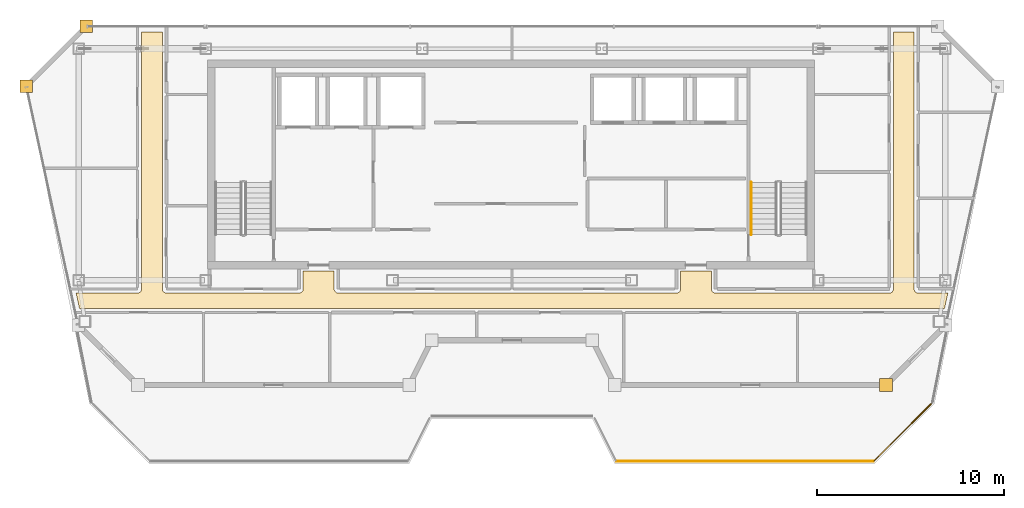
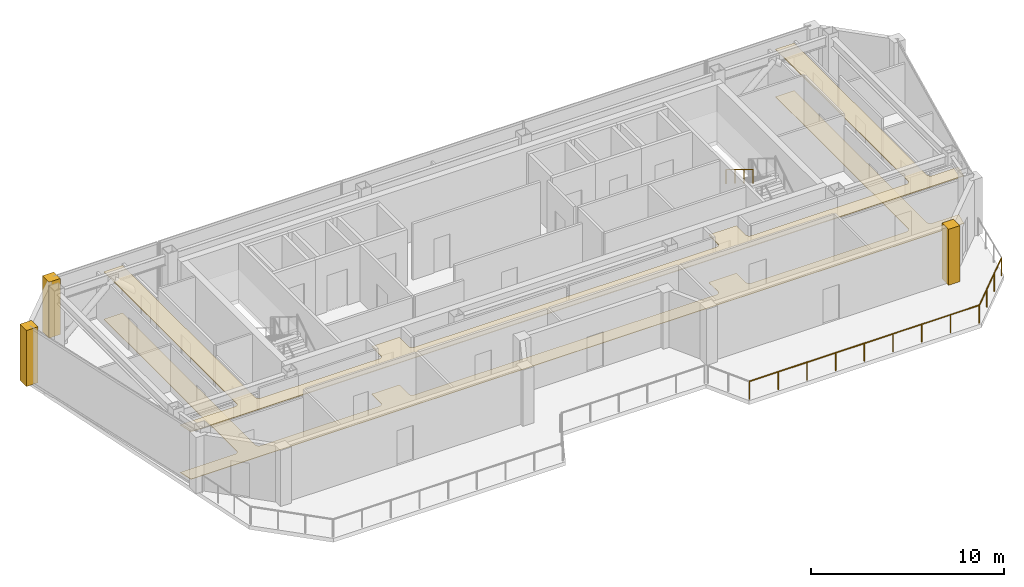
# One storey, part 16 of 17: 5 coverings, 3 railings.
"""IFC4 building model written with IfcOpenShell, lengths in metres."""

from ifc_helpers import new_model, si_unit, direction, frame, origin, origin_2d, place, context, subcontext, project, spatial, polyline, circle, outline, extrude, material, layer, layer_set, type_object, element, save


model = new_model("IFC4")

# Units and contexts
model_context = context("Model", 3, precision=1e-05, world=origin(), true_north=direction((0.0, 1.0)))
body_context = subcontext(model_context, "Body", "Model", "MODEL_VIEW")
ifc_project = project(units=[si_unit("LENGTHUNIT", "METRE"), si_unit("AREAUNIT", "SQUARE_METRE"), si_unit("VOLUMEUNIT", "CUBIC_METRE"), si_unit("PLANEANGLEUNIT", "RADIAN"), si_unit("MASSUNIT", "GRAM", prefix="KILO")], contexts=[model_context])

# Site, building, storey
site_placement = place(None, origin())
site = spatial("IfcSite", under=ifc_project, at=site_placement, CompositionType="ELEMENT")
building_placement = place(site_placement, origin())
building = spatial("IfcBuilding", under=site, at=building_placement, Name="Saevonmaru Cultural Tower", CompositionType="ELEMENT")
storey_placement = place(building_placement, frame((0.0, 0.0, 310.39990234375)))
storey = spatial("IfcBuildingStorey", under=building, at=storey_placement, Name="L74", CompositionType="ELEMENT", Elevation=310.39990234375)

# Coverings
ifc_material_1 = material(Name="Mineral Fibre Acoustic Ceiling", Category="gypsum")
ifc_layer_1 = layer(ifc_material_1, 0.044921875, Name="Mineral Fibre Acoustic Ceiling")
ifc_layer_set_1 = layer_set([ifc_layer_1], Name="Mineral Fibre Acoustic Ceiling")
covering_type_1 = type_object("IfcCoveringType", Name="CV-CEIL-ACOUSTIC", PredefinedType="CEILING", material=ifc_layer_set_1)
covering_1_placement = place(storey_placement, frame((0.0, 0.0, 3.0)))
element("IfcCovering", 1, at=covering_1_placement, inside=storey, type_object=covering_type_1, Name="L74 Corridor Acoustic Ceiling", PredefinedType="CEILING", context=body_context, shape_type="SweptSolid", body=[
    extrude(outline(polyline([(6.843994140625, 40.89990234375), (6.6669921875, 41.719970703125), (9.949951171875, 41.719970703125), (9.971923828125, 41.720947265625), (9.992919921875, 41.72412109375), (10.013916015625, 41.72900390625), (10.033935546875, 41.737060546875), (10.053955078125, 41.74609375), (10.072021484375, 41.757080078125), (10.090087890625, 41.77001953125), (10.10595703125, 41.783935546875), (10.1201171875, 41.800048828125), (10.133056640625, 41.818115234375), (10.14404296875, 41.8359375), (10.153076171875, 41.85595703125), (10.160888671875, 41.8759765625), (10.166015625, 41.89697265625), (10.1689453125, 41.91796875), (10.169921875, 41.93994140625), (10.169921875, 55.699951171875), (11.280029296875, 55.699951171875), (11.280029296875, 41.93994140625), (11.281005859375, 41.91796875), (11.283935546875, 41.89697265625), (11.2890625, 41.8759765625), (11.297119140625, 41.85595703125), (11.305908203125, 41.8359375), (11.31689453125, 41.818115234375), (11.330078125, 41.800048828125), (11.343994140625, 41.783935546875), (11.360107421875, 41.77001953125), (11.3779296875, 41.757080078125), (11.39599609375, 41.74609375), (11.416015625, 41.737060546875), (11.43603515625, 41.72900390625), (11.45703125, 41.72412109375), (11.47802734375, 41.720947265625), (11.5, 41.719970703125), (18.60009765625, 41.719970703125), (18.6220703125, 41.720947265625), (18.64306640625, 41.72412109375), (18.6640625, 41.72900390625), (18.68408203125, 41.737060546875), (18.7041015625, 41.74609375), (18.721923828125, 41.757080078125), (18.739990234375, 41.77001953125), (18.756103515625, 41.783935546875), (18.77001953125, 41.800048828125), (18.782958984375, 41.818115234375), (18.7939453125, 41.8359375), (18.802978515625, 41.85595703125), (18.81103515625, 41.8759765625), (18.81591796875, 41.89697265625), (18.819091796875, 41.91796875), (18.820068359375, 41.93994140625), (18.820068359375, 42.889892578125), (20.47998046875, 42.889892578125), (20.47998046875, 41.93994140625), (20.48095703125, 41.91796875), (20.48388671875, 41.89697265625), (20.489013671875, 41.8759765625), (20.4970703125, 41.85595703125), (20.506103515625, 41.8359375), (20.51708984375, 41.818115234375), (20.530029296875, 41.800048828125), (20.5439453125, 41.783935546875), (20.56005859375, 41.77001953125), (20.577880859375, 41.757080078125), (20.595947265625, 41.74609375), (20.615966796875, 41.737060546875), (20.635986328125, 41.72900390625), (20.656982421875, 41.72412109375), (20.677978515625, 41.720947265625), (20.699951171875, 41.719970703125), (38.800048828125, 41.719970703125), (38.822021484375, 41.720947265625), (38.843017578125, 41.72412109375), (38.864013671875, 41.72900390625), (38.884033203125, 41.737060546875), (38.904052734375, 41.74609375), (38.922119140625, 41.757080078125), (38.93994140625, 41.77001953125), (38.9560546875, 41.783935546875), (38.969970703125, 41.800048828125), (38.98291015625, 41.818115234375), (38.993896484375, 41.8359375), (39.0029296875, 41.85595703125), (39.010986328125, 41.8759765625), (39.01611328125, 41.89697265625), (39.01904296875, 41.91796875), (39.02001953125, 41.93994140625), (39.02001953125, 42.889892578125), (40.679931640625, 42.889892578125), (40.679931640625, 41.93994140625), (40.680908203125, 41.91796875), (40.68408203125, 41.89697265625), (40.68896484375, 41.8759765625), (40.697021484375, 41.85595703125), (40.7060546875, 41.8359375), (40.717041015625, 41.818115234375), (40.72998046875, 41.800048828125), (40.743896484375, 41.783935546875), (40.760009765625, 41.77001953125), (40.778076171875, 41.757080078125), (40.7958984375, 41.74609375), (40.81591796875, 41.737060546875), (40.8359375, 41.72900390625), (40.85693359375, 41.72412109375), (40.8779296875, 41.720947265625), (40.89990234375, 41.719970703125), (50.199951171875, 41.719970703125), (50.221923828125, 41.720947265625), (50.242919921875, 41.72412109375), (50.263916015625, 41.72900390625), (50.283935546875, 41.737060546875), (50.303955078125, 41.74609375), (50.322021484375, 41.757080078125), (50.340087890625, 41.77001953125), (50.35595703125, 41.783935546875), (50.3701171875, 41.800048828125), (50.383056640625, 41.818115234375), (50.39404296875, 41.8359375), (50.403076171875, 41.85595703125), (50.410888671875, 41.8759765625), (50.416015625, 41.89697265625), (50.4189453125, 41.91796875), (50.419921875, 41.93994140625), (50.419921875, 55.699951171875), (51.530029296875, 55.699951171875), (51.530029296875, 41.93994140625), (51.531005859375, 41.91796875), (51.533935546875, 41.89697265625), (51.5390625, 41.8759765625), (51.547119140625, 41.85595703125), (51.555908203125, 41.8359375), (51.56689453125, 41.818115234375), (51.580078125, 41.800048828125), (51.593994140625, 41.783935546875), (51.610107421875, 41.77001953125), (51.6279296875, 41.757080078125), (51.64599609375, 41.74609375), (51.666015625, 41.737060546875), (51.68603515625, 41.72900390625), (51.70703125, 41.72412109375), (51.72802734375, 41.720947265625), (51.75, 41.719970703125), (53.3330078125, 41.719970703125), (53.156005859375, 40.89990234375), (6.843994140625, 40.89990234375)])), origin(), (0.0, 0.0, 1.0), 0.045166015625),
])
ifc_material_2 = material(Name="Satin Bronze Anodised Aluminium", Category="aluminium")
ifc_layer_2 = layer(ifc_material_2, 0.679931640625, Name="Satin Bronze Anodised Aluminium")
ifc_layer_set_2 = layer_set([ifc_layer_2], Name="Satin Bronze Anodised Aluminium")
covering_type_2 = type_object("IfcCoveringType", Name="CV-CORNER-CLAD", PredefinedType="CLADDING", material=ifc_layer_set_2)
covering_2_placement = place(storey_placement, origin())
element("IfcCovering", 2, at=covering_2_placement, inside=storey, type_object=covering_type_2, Name="L74 Tower Bronze Corner Cladding Pier 7", PredefinedType="CLADDING", context=body_context, shape_type="SweptSolid", body=[
    extrude(outline(polyline([(49.68701171875, 36.4599609375), (50.366943359375, 36.4599609375), (50.366943359375, 37.139892578125), (49.68701171875, 37.139892578125), (49.68701171875, 36.4599609375)])), origin(), (0.0, 0.0, 1.0), 3.550048828125),
])
covering_3_placement = place(storey_placement, origin())
element("IfcCovering", 3, at=covering_3_placement, inside=storey, type_object=covering_type_2, Name="L74 Tower Bronze Corner Cladding Pier 11", PredefinedType="CLADDING", context=body_context, shape_type="SweptSolid", body=[
    extrude(outline(polyline([(6.860107421875, 55.659912109375), (7.5400390625, 55.659912109375), (7.5400390625, 56.340087890625), (6.860107421875, 56.340087890625), (6.860107421875, 55.659912109375)])), origin(), (0.0, 0.0, 1.0), 3.550048828125),
])
covering_4_placement = place(storey_placement, origin())
element("IfcCovering", 4, at=covering_4_placement, inside=storey, type_object=covering_type_2, Name="L74 Tower Bronze Corner Cladding Pier 12", PredefinedType="CLADDING", context=body_context, shape_type="SweptSolid", body=[
    extrude(outline(polyline([(3.659912109375, 52.4599609375), (4.340087890625, 52.4599609375), (4.340087890625, 53.139892578125), (3.659912109375, 53.139892578125), (3.659912109375, 52.4599609375)])), origin(), (0.0, 0.0, 1.0), 3.550048828125),
])
ifc_material_3 = material(Name="Honed Granite Terrazzo", Category="masonry")
ifc_layer_3 = layer(ifc_material_3, 0.030029296875, Name="Honed Granite Terrazzo")
ifc_layer_set_3 = layer_set([ifc_layer_3], Name="Honed Granite Terrazzo")
covering_type_3 = type_object("IfcCoveringType", Name="CV-FLR-TERRAZZO", PredefinedType="FLOORING", material=ifc_layer_set_3)
covering_5_placement = place(storey_placement, origin())
element("IfcCovering", 5, at=covering_5_placement, inside=storey, type_object=covering_type_3, Name="L74 Corridor Terrazzo Flooring", PredefinedType="FLOORING", context=body_context, shape_type="SweptSolid", body=[
    extrude(outline(polyline([(6.843994140625, 40.89990234375), (6.6669921875, 41.719970703125), (9.949951171875, 41.719970703125), (9.971923828125, 41.720947265625), (9.992919921875, 41.72412109375), (10.013916015625, 41.72900390625), (10.033935546875, 41.737060546875), (10.053955078125, 41.74609375), (10.072021484375, 41.757080078125), (10.090087890625, 41.77001953125), (10.10595703125, 41.783935546875), (10.1201171875, 41.800048828125), (10.133056640625, 41.818115234375), (10.14404296875, 41.8359375), (10.153076171875, 41.85595703125), (10.160888671875, 41.8759765625), (10.166015625, 41.89697265625), (10.1689453125, 41.91796875), (10.169921875, 41.93994140625), (10.169921875, 55.699951171875), (11.280029296875, 55.699951171875), (11.280029296875, 41.93994140625), (11.281005859375, 41.91796875), (11.283935546875, 41.89697265625), (11.2890625, 41.8759765625), (11.297119140625, 41.85595703125), (11.305908203125, 41.8359375), (11.31689453125, 41.818115234375), (11.330078125, 41.800048828125), (11.343994140625, 41.783935546875), (11.360107421875, 41.77001953125), (11.3779296875, 41.757080078125), (11.39599609375, 41.74609375), (11.416015625, 41.737060546875), (11.43603515625, 41.72900390625), (11.45703125, 41.72412109375), (11.47802734375, 41.720947265625), (11.5, 41.719970703125), (18.60009765625, 41.719970703125), (18.6220703125, 41.720947265625), (18.64306640625, 41.72412109375), (18.6640625, 41.72900390625), (18.68408203125, 41.737060546875), (18.7041015625, 41.74609375), (18.721923828125, 41.757080078125), (18.739990234375, 41.77001953125), (18.756103515625, 41.783935546875), (18.77001953125, 41.800048828125), (18.782958984375, 41.818115234375), (18.7939453125, 41.8359375), (18.802978515625, 41.85595703125), (18.81103515625, 41.8759765625), (18.81591796875, 41.89697265625), (18.819091796875, 41.91796875), (18.820068359375, 41.93994140625), (18.820068359375, 42.889892578125), (20.47998046875, 42.889892578125), (20.47998046875, 41.93994140625), (20.48095703125, 41.91796875), (20.48388671875, 41.89697265625), (20.489013671875, 41.8759765625), (20.4970703125, 41.85595703125), (20.506103515625, 41.8359375), (20.51708984375, 41.818115234375), (20.530029296875, 41.800048828125), (20.5439453125, 41.783935546875), (20.56005859375, 41.77001953125), (20.577880859375, 41.757080078125), (20.595947265625, 41.74609375), (20.615966796875, 41.737060546875), (20.635986328125, 41.72900390625), (20.656982421875, 41.72412109375), (20.677978515625, 41.720947265625), (20.699951171875, 41.719970703125), (38.800048828125, 41.719970703125), (38.822021484375, 41.720947265625), (38.843017578125, 41.72412109375), (38.864013671875, 41.72900390625), (38.884033203125, 41.737060546875), (38.904052734375, 41.74609375), (38.922119140625, 41.757080078125), (38.93994140625, 41.77001953125), (38.9560546875, 41.783935546875), (38.969970703125, 41.800048828125), (38.98291015625, 41.818115234375), (38.993896484375, 41.8359375), (39.0029296875, 41.85595703125), (39.010986328125, 41.8759765625), (39.01611328125, 41.89697265625), (39.01904296875, 41.91796875), (39.02001953125, 41.93994140625), (39.02001953125, 42.889892578125), (40.679931640625, 42.889892578125), (40.679931640625, 41.93994140625), (40.680908203125, 41.91796875), (40.68408203125, 41.89697265625), (40.68896484375, 41.8759765625), (40.697021484375, 41.85595703125), (40.7060546875, 41.8359375), (40.717041015625, 41.818115234375), (40.72998046875, 41.800048828125), (40.743896484375, 41.783935546875), (40.760009765625, 41.77001953125), (40.778076171875, 41.757080078125), (40.7958984375, 41.74609375), (40.81591796875, 41.737060546875), (40.8359375, 41.72900390625), (40.85693359375, 41.72412109375), (40.8779296875, 41.720947265625), (40.89990234375, 41.719970703125), (50.199951171875, 41.719970703125), (50.221923828125, 41.720947265625), (50.242919921875, 41.72412109375), (50.263916015625, 41.72900390625), (50.283935546875, 41.737060546875), (50.303955078125, 41.74609375), (50.322021484375, 41.757080078125), (50.340087890625, 41.77001953125), (50.35595703125, 41.783935546875), (50.3701171875, 41.800048828125), (50.383056640625, 41.818115234375), (50.39404296875, 41.8359375), (50.403076171875, 41.85595703125), (50.410888671875, 41.8759765625), (50.416015625, 41.89697265625), (50.4189453125, 41.91796875), (50.419921875, 41.93994140625), (50.419921875, 55.699951171875), (51.530029296875, 55.699951171875), (51.530029296875, 41.93994140625), (51.531005859375, 41.91796875), (51.533935546875, 41.89697265625), (51.5390625, 41.8759765625), (51.547119140625, 41.85595703125), (51.555908203125, 41.8359375), (51.56689453125, 41.818115234375), (51.580078125, 41.800048828125), (51.593994140625, 41.783935546875), (51.610107421875, 41.77001953125), (51.6279296875, 41.757080078125), (51.64599609375, 41.74609375), (51.666015625, 41.737060546875), (51.68603515625, 41.72900390625), (51.70703125, 41.72412109375), (51.72802734375, 41.720947265625), (51.75, 41.719970703125), (53.3330078125, 41.719970703125), (53.156005859375, 40.89990234375), (6.843994140625, 40.89990234375)])), origin(), (0.0, 0.0, 1.0), 0.030029296875),
])

# Railings
railing_type_1 = type_object("IfcRailingType", Name="RL-BALUSTRADE-1150", PredefinedType="BALUSTRADE", material=ifc_material_2)
railing_1_placement = place(storey_placement, frame((52.494873046875, 35.844970703125, 0.0)))
element("IfcRailing", 6, at=railing_1_placement, inside=storey, type_object=railing_type_1, Name="L74 Setback Terrace Balustrade 1-2", PredefinedType="BALUSTRADE", context=body_context, shape_type="SweptSolid", body=[
    extrude(circle(Radius=0.02392578125, at=origin_2d()), frame((0.0, 0.0, 1.1259765625), z_axis=(-0.707106781187, -0.707106781187, 0.0), x_axis=(0.707106781187, -0.707106781187, 0.0)), (0.0, 0.0, 1.0), 4.3994140625),
    extrude(circle(Radius=0.02099609375, at=origin_2d()), origin(), (0.0, 0.0, 1.0), 1.101806640625),
    extrude(circle(Radius=0.02099609375, at=origin_2d()), frame((-1.036865234375, -1.036865234375, 0.0)), (0.0, 0.0, 1.0), 1.101806640625),
    extrude(circle(Radius=0.02099609375, at=origin_2d()), frame((-2.073974609375, -2.073974609375, 0.0)), (0.0, 0.0, 1.0), 1.101806640625),
    extrude(circle(Radius=0.02099609375, at=origin_2d()), frame((-3.11083984375, -3.11083984375, 0.0)), (0.0, 0.0, 1.0), 1.101806640625),
])
railing_2_placement = place(storey_placement, frame((49.35009765625, 32.719970703125, 0.0)))
element("IfcRailing", 7, at=railing_2_placement, inside=storey, type_object=railing_type_1, Name="L74 Setback Terrace Balustrade 1-3", PredefinedType="BALUSTRADE", context=body_context, shape_type="SweptSolid", body=[
    extrude(circle(Radius=0.02392578125, at=origin_2d()), frame((0.0, 0.0, 1.1259765625), z_axis=(-1.0, 0.0, 0.0), x_axis=(0.0, -1.0, 0.0)), (0.0, 0.0, 1.0), 13.756103515625),
    extrude(circle(Radius=0.02099609375, at=origin_2d()), origin(), (0.0, 0.0, 1.0), 1.101806640625),
    extrude(circle(Radius=0.02099609375, at=origin_2d()), frame((-1.719482421875, 0.0, 0.0)), (0.0, 0.0, 1.0), 1.101806640625),
    extrude(circle(Radius=0.02099609375, at=origin_2d()), frame((-3.43896484375, 0.0, 0.0)), (0.0, 0.0, 1.0), 1.101806640625),
    extrude(circle(Radius=0.02099609375, at=origin_2d()), frame((-5.158447265625, 0.0, 0.0)), (0.0, 0.0, 1.0), 1.101806640625),
    extrude(circle(Radius=0.02099609375, at=origin_2d()), frame((-6.8779296875, 0.0, 0.0)), (0.0, 0.0, 1.0), 1.101806640625),
    extrude(circle(Radius=0.02099609375, at=origin_2d()), frame((-8.59765625, 0.0, 0.0)), (0.0, 0.0, 1.0), 1.101806640625),
    extrude(circle(Radius=0.02099609375, at=origin_2d()), frame((-10.317138671875, 0.0, 0.0)), (0.0, 0.0, 1.0), 1.101806640625),
    extrude(circle(Radius=0.02099609375, at=origin_2d()), frame((-12.03662109375, 0.0, 0.0)), (0.0, 0.0, 1.0), 1.101806640625),
    extrude(circle(Radius=0.02099609375, at=origin_2d()), frame((-13.756103515625, 0.0, 0.0)), (0.0, 0.0, 1.0), 1.101806640625),
])
railing_type_2 = type_object("IfcRailingType", Name="RL-STAIR-HANDRAIL", PredefinedType="HANDRAIL", material=ifc_material_2)
railing_3_placement = place(storey_placement, frame((42.800048828125, 47.64990234375, 2.07275390625)))
element("IfcRailing", 8, at=railing_3_placement, inside=storey, type_object=railing_type_2, Name="L74 ST-2 stair handrail 2", PredefinedType="HANDRAIL", context=body_context, shape_type="SweptSolid", body=[
    extrude(circle(Radius=0.02392578125, at=origin_2d()), frame((0.0, 0.0, 0.8759765625), z_axis=(0.0, -0.851069175582, 0.525053576669), x_axis=(1.0, 0.0, 0.0)), (0.0, 0.0, 1.0), 3.289794921875),
    extrude(circle(Radius=0.02099609375, at=origin_2d()), origin(), (0.0, 0.0, 1.0), 0.851806640625),
    extrude(circle(Radius=0.02099609375, at=origin_2d()), frame((0.0, -0.933349609375, 0.57568359375)), (0.0, 0.0, 1.0), 0.851806640625),
    extrude(circle(Radius=0.02099609375, at=origin_2d()), frame((0.0, -1.866455078125, 1.151611328125)), (0.0, 0.0, 1.0), 0.851806640625),
    extrude(circle(Radius=0.02099609375, at=origin_2d()), frame((0.0, -2.7998046875, 1.727294921875)), (0.0, 0.0, 1.0), 0.851806640625),
])

save(model, "model.ifc")
